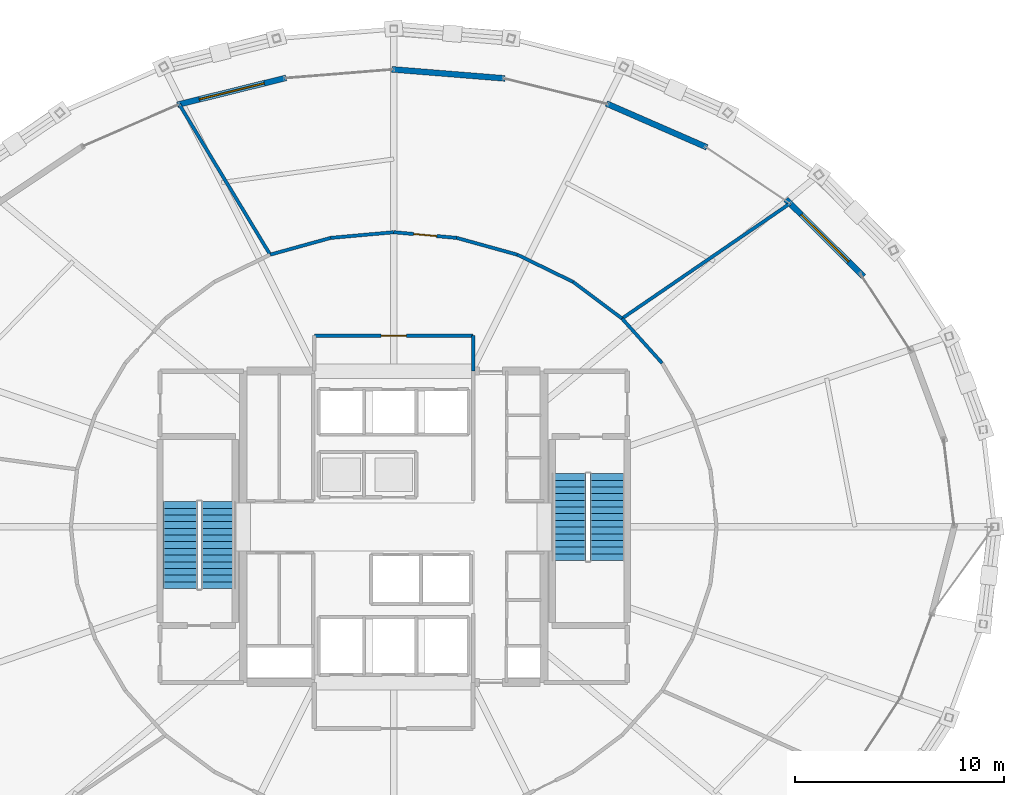
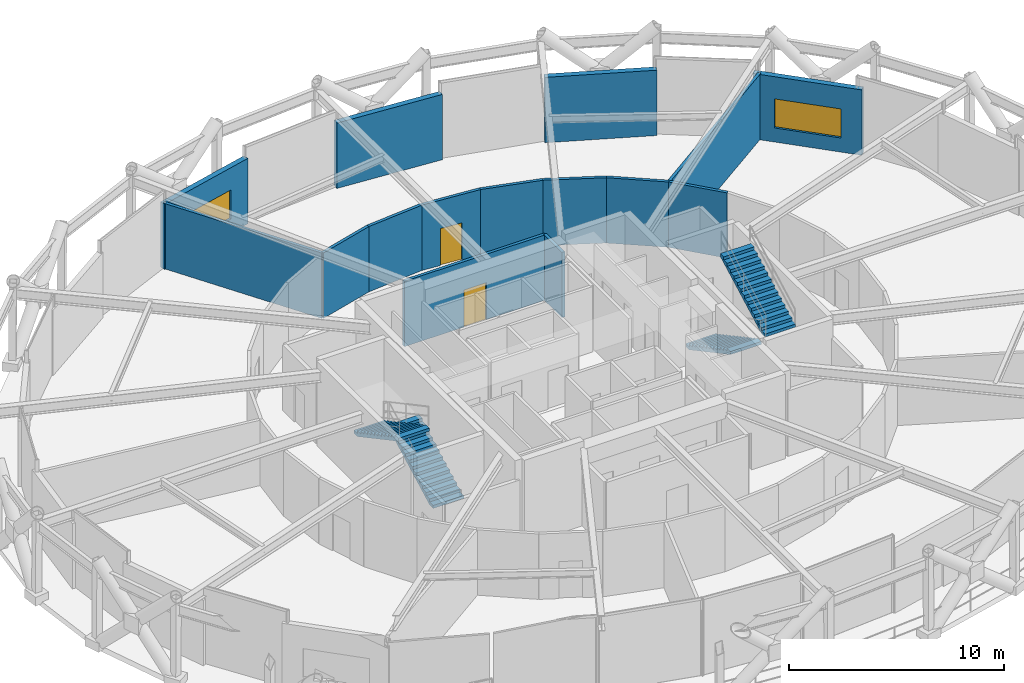
# One storey, part 35 of 39: 15 walls, 4 stair flights, 2 doors, 2 windows, 4 openings, 2 elements without a shape of their own.
"""IFC4 building model written with IfcOpenShell, lengths in metres."""

from ifc_helpers import new_model, si_unit, direction, frame, frame_2d, origin, place, context, subcontext, project, spatial, polyline, rectangle, outline, extrude, material, layer, layer_set, type_object, element, fill, aggregate, save


model = new_model("IFC4")

# Units and contexts
model_context = context("Model", 3, precision=1e-05, world=origin(), true_north=direction((0.0, 1.0)))
body_context = subcontext(model_context, "Body", "Model", "MODEL_VIEW")
ifc_project = project(units=[si_unit("LENGTHUNIT", "METRE"), si_unit("AREAUNIT", "SQUARE_METRE"), si_unit("VOLUMEUNIT", "CUBIC_METRE"), si_unit("PLANEANGLEUNIT", "RADIAN"), si_unit("MASSUNIT", "GRAM", prefix="KILO")], contexts=[model_context])

# Site, building, storey
site_placement = place(None, origin())
site = spatial("IfcSite", under=ifc_project, at=site_placement, CompositionType="ELEMENT")
building_placement = place(site_placement, origin())
building = spatial("IfcBuilding", under=site, at=building_placement, Name="Veldorina Hangang Commons", CompositionType="ELEMENT")
storey_placement = place(building_placement, frame((0.0, 0.0, 106.0)))
storey = spatial("IfcBuildingStorey", under=building, at=storey_placement, Name="L27", CompositionType="ELEMENT", Elevation=106.0)

# Wall, opening, window
ifc_material_1 = material(Name="Stone Roman Travertine", Category="masonry")
ifc_layer_1 = layer(ifc_material_1, 0.280029296875)
ifc_layer_set_1 = layer_set([ifc_layer_1], Name="Stone Roman Travertine")
wall_type_1 = type_object("IfcWallType", Name="EW-TRAV-280", PredefinedType="STANDARD", material=ifc_layer_set_1)
wall_1_placement = place(storey_placement, frame((54.4873046875, 35.9765625, 0.0), z_axis=(0.0, 0.0, 1.0), x_axis=(-0.709127704371, 0.705080065591, 0.0)))
wall_1 = element("IfcWall", 1, at=wall_1_placement, inside=storey, type_object=wall_type_1, Name="L27 travertine facade wall 03", PredefinedType="STANDARD", context=body_context, shape_type="SweptSolid", body=[
    extrude(rectangle(XDim=5.24755859375, YDim=0.280029296875, at=frame_2d((2.623779296875, 0.0))), origin(), (0.0, 0.0, 1.0), 3.7099609375),
])
opening_1_placement = place(wall_1_placement, frame((1.0126953125, 0.0, 0.800048828125)))
opening_1 = element("IfcOpeningElement", 2, at=opening_1_placement, cuts=wall_1, Name="Opening W-01", PredefinedType="OPENING", context=body_context, shape_type="SweptSolid", body=[
    extrude(rectangle(XDim=3.199951171875, YDim=1.64990234375, at=frame_2d((1.60009765625, 0.824951171875))), frame((0.0, 0.14990234375, 0.0), z_axis=(0.0, -1.0, 0.0), x_axis=(1.0, 0.0, 0.0)), (0.0, 0.0, 1.0), 0.300048828125),
])
ifc_material_2 = material(Name="Glass Low-E Triple IGU", Category="glass")
window_type = type_object("IfcWindowType", Name="WIN-TWR-3200", PartitioningType="SINGLE_PANEL", PredefinedType="WINDOW", material=ifc_material_2)
window_1_placement = place(opening_1_placement, origin())
window_1 = element("IfcWindow", 3, at=window_1_placement, inside=storey, type_object=window_type, Name="L27 facade window 03", OverallHeight=1.64990234375, OverallWidth=3.199951171875, PartitioningType="SINGLE_PANEL", PredefinedType="WINDOW", context=body_context, shape_type="SweptSolid", body=[
    extrude(rectangle(XDim=3.199951171875, YDim=1.64990234375, at=frame_2d((1.60009765625, 0.824951171875))), frame((0.0, 0.030029296875, 0.0), z_axis=(0.0, -1.0, 0.0), x_axis=(1.0, 0.0, 0.0)), (0.0, 0.0, 1.0), 0.06005859375),
])
fill(opening_1, window_1)

# Walls
wall_2_placement = place(storey_placement, frame((46.986328125, 42.16259765625, 0.0), z_axis=(0.0, 0.0, 1.0), x_axis=(-0.916604537143, 0.399795100631, 0.0)))
element("IfcWall", 4, at=wall_2_placement, inside=storey, type_object=wall_type_1, Name="L27 travertine facade wall 05", PredefinedType="STANDARD", context=body_context, shape_type="SweptSolid", body=[
    extrude(rectangle(XDim=5.2431640625, YDim=0.280029296875, at=frame_2d((2.62158203125, 0.0))), origin(), (0.0, 0.0, 1.0), 3.7099609375),
])
wall_3_placement = place(storey_placement, frame((37.32470703125, 45.460205078125, 0.0), z_axis=(0.0, 0.0, 1.0), x_axis=(-0.996786212596, 0.080107717347, 0.0)))
element("IfcWall", 5, at=wall_3_placement, inside=storey, type_object=wall_type_1, Name="L27 travertine facade wall 07", PredefinedType="STANDARD", context=body_context, shape_type="SweptSolid", body=[
    extrude(rectangle(XDim=5.43408203125, YDim=0.280029296875, at=frame_2d((2.717041015625, 0.0))), origin(), (0.0, 0.0, 1.0), 3.7099609375),
])

# Wall, opening, window
wall_4_placement = place(storey_placement, frame((26.8564453125, 45.489501953125, 0.0), z_axis=(0.0, 0.0, 1.0), x_axis=(-0.9707123559, -0.240244712954, 0.0)))
wall_4 = element("IfcWall", 6, at=wall_4_placement, inside=storey, type_object=wall_type_1, Name="L27 travertine facade wall 09", PredefinedType="STANDARD", context=body_context, shape_type="SweptSolid", body=[
    extrude(rectangle(XDim=5.36767578125, YDim=0.280029296875, at=frame_2d((2.683837890625, 0.0))), origin(), (0.0, 0.0, 1.0), 3.7099609375),
])
opening_2_placement = place(wall_4_placement, frame((1.083740234375, 0.0, 0.800048828125)))
opening_2 = element("IfcOpeningElement", 7, at=opening_2_placement, cuts=wall_4, Name="Opening W-01", PredefinedType="OPENING", context=body_context, shape_type="SweptSolid", body=[
    extrude(rectangle(XDim=3.199951171875, YDim=1.64990234375, at=frame_2d((1.60009765625, 0.824951171875))), frame((0.0, 0.14990234375, 0.0), z_axis=(0.0, -1.0, 0.0), x_axis=(1.0, 0.0, 0.0)), (0.0, 0.0, 1.0), 0.300048828125),
])
window_2_placement = place(opening_2_placement, origin())
window_2 = element("IfcWindow", 8, at=window_2_placement, inside=storey, type_object=window_type, Name="L27 facade window 09", OverallHeight=1.64990234375, OverallWidth=3.199951171875, PartitioningType="SINGLE_PANEL", PredefinedType="WINDOW", context=body_context, shape_type="SweptSolid", body=[
    extrude(rectangle(XDim=3.199951171875, YDim=1.64990234375, at=frame_2d((1.60009765625, 0.824951171875))), frame((0.0, 0.030029296875, 0.0), z_axis=(0.0, -1.0, 0.0), x_axis=(1.0, 0.0, 0.0)), (0.0, 0.0, 1.0), 0.06005859375),
])
fill(opening_2, window_2)

# Wall
ifc_material_3 = material(Name="Gypsum Fire-Rated Twin Stud Wall", Category="gypsum")
ifc_layer_2 = layer(ifc_material_3, 0.159912109375)
ifc_layer_set_2 = layer_set([ifc_layer_2], Name="Gypsum Fire-Rated Twin Stud Wall")
wall_type_2 = type_object("IfcWallType", Name="WL-FIRE-160", PredefinedType="SOLIDWALL", material=ifc_layer_set_2)
wall_5_placement = place(storey_placement, frame((35.800048828125, 31.449951171875, 0.0), z_axis=(0.0, 0.0, 1.0), x_axis=(0.0, 1.0, 0.0)))
element("IfcWall", 9, at=wall_5_placement, inside=storey, type_object=wall_type_2, Name="L27 North lobby east wall 038", PredefinedType="SOLIDWALL", context=body_context, shape_type="SweptSolid", body=[
    extrude(rectangle(XDim=1.699951171875, YDim=0.159912109375, at=frame_2d((0.85009765625, 0.0))), origin(), (0.0, 0.0, 1.0), 3.7099609375),
])

# Wall, opening, door
wall_6_placement = place(storey_placement, frame((28.199951171875, 33.14990234375, 0.0), z_axis=(0.0, 0.0, 1.0), x_axis=(1.0, 0.0, 0.0)))
wall_6 = element("IfcWall", 10, at=wall_6_placement, inside=storey, type_object=wall_type_2, Name="L27 North lobby north wall 039", PredefinedType="SOLIDWALL", context=body_context, shape_type="SweptSolid", body=[
    extrude(rectangle(XDim=7.60009765625, YDim=0.159912109375, at=frame_2d((3.800048828125, 0.0))), origin(), (0.0, 0.0, 1.0), 3.7099609375),
])
opening_3_placement = place(wall_6_placement, frame((3.199951171875, 0.0, 0.0)))
opening_3 = element("IfcOpeningElement", 11, at=opening_3_placement, cuts=wall_6, Name="Opening D-09", PredefinedType="OPENING", context=body_context, shape_type="SweptSolid", body=[
    extrude(rectangle(XDim=1.199951171875, YDim=2.10009765625, at=frame_2d((0.60009765625, 1.050048828125))), frame((0.0, 0.08984375, 0.0), z_axis=(0.0, -1.0, 0.0), x_axis=(1.0, 0.0, 0.0)), (0.0, 0.0, 1.0), 0.179931640625),
])
ifc_material_4 = material(Name="Steel Fire-Rated Corridor Door", Category="steel")
door_type_1 = type_object("IfcDoorType", Name="DR-FIRE-1200", OperationType="SINGLE_SWING_LEFT", PredefinedType="DOOR", material=ifc_material_4)
door_1_placement = place(opening_3_placement, origin())
door_1 = element("IfcDoor", 12, at=door_1_placement, inside=storey, type_object=door_type_1, Name="L27 North lift lobby corridor door 016", OperationType="SINGLE_SWING_RIGHT", OverallHeight=2.10009765625, OverallWidth=1.199951171875, PredefinedType="DOOR", context=body_context, shape_type="SweptSolid", body=[
    extrude(rectangle(XDim=1.199951171875, YDim=2.10009765625, at=frame_2d((0.60009765625, 1.050048828125))), frame((0.0, 0.02490234375, 0.0), z_axis=(0.0, -1.0, 0.0), x_axis=(1.0, 0.0, 0.0)), (0.0, 0.0, 1.0), 0.050048828125),
])
fill(opening_3, door_1)

# Walls
wall_7_placement = place(storey_placement, frame((44.84619140625, 31.83349609375, 0.0), z_axis=(0.0, 0.0, 1.0), x_axis=(-0.668645478294, 0.743581350194, 0.0)))
element("IfcWall", 13, at=wall_7_placement, inside=storey, type_object=wall_type_2, Name="L27 Sky gallery wall 03 058", PredefinedType="SOLIDWALL", context=body_context, shape_type="SweptSolid", body=[
    extrude(rectangle(XDim=2.87353515625, YDim=0.159912109375, at=frame_2d((1.436767578125, 0.0))), origin(), (0.0, 0.0, 1.0), 3.7099609375),
])
wall_8_placement = place(storey_placement, frame((42.9248046875, 33.97021484375, 0.0), z_axis=(0.0, 0.0, 1.0), x_axis=(-0.800420462314, 0.599438973966, 0.0)))
element("IfcWall", 14, at=wall_8_placement, inside=storey, type_object=wall_type_2, Name="L27 Sky gallery wall 04 059", PredefinedType="SOLIDWALL", context=body_context, shape_type="SweptSolid", body=[
    extrude(rectangle(XDim=2.925048828125, YDim=0.159912109375, at=frame_2d((1.46240234375, 0.0))), origin(), (0.0, 0.0, 1.0), 3.7099609375),
])
wall_9_placement = place(storey_placement, frame((40.58349609375, 35.7236328125, 0.0), z_axis=(0.0, 0.0, 1.0), x_axis=(-0.898755022802, 0.438451147778, 0.0)))
element("IfcWall", 15, at=wall_9_placement, inside=storey, type_object=wall_type_2, Name="L27 Sky gallery wall 05 060", PredefinedType="SOLIDWALL", context=body_context, shape_type="SweptSolid", body=[
    extrude(rectangle(XDim=2.9716796875, YDim=0.159912109375, at=frame_2d((1.48583984375, 0.0))), origin(), (0.0, 0.0, 1.0), 3.7099609375),
])
wall_10_placement = place(storey_placement, frame((37.91259765625, 37.026611328125, 0.0), z_axis=(0.0, 0.0, 1.0), x_axis=(-0.963743190464, 0.26683152519, 0.0)))
element("IfcWall", 16, at=wall_10_placement, inside=storey, type_object=wall_type_2, Name="L27 Sky gallery wall 06 061", PredefinedType="SOLIDWALL", context=body_context, shape_type="SweptSolid", body=[
    extrude(rectangle(XDim=3.007568359375, YDim=0.159912109375, at=frame_2d((1.50390625, 0.0))), origin(), (0.0, 0.0, 1.0), 3.7099609375),
])

# Wall, opening, door
wall_11_placement = place(storey_placement, frame((35.01416015625, 37.8291015625, 0.0), z_axis=(0.0, 0.0, 1.0), x_axis=(-0.995982645158, 0.089546471418, 0.0)))
wall_11 = element("IfcWall", 17, at=wall_11_placement, inside=storey, type_object=wall_type_2, Name="L27 Sky gallery wall 07 062", PredefinedType="SOLIDWALL", context=body_context, shape_type="SweptSolid", body=[
    extrude(rectangle(XDim=3.0263671875, YDim=0.159912109375, at=frame_2d((1.51318359375, 0.0))), origin(), (0.0, 0.0, 1.0), 3.7099609375),
])
opening_4_placement = place(wall_11_placement, frame((0.963134765625, 0.0, 0.0)))
opening_4 = element("IfcOpeningElement", 18, at=opening_4_placement, cuts=wall_11, Name="Opening D-08", PredefinedType="OPENING", context=body_context, shape_type="SweptSolid", body=[
    extrude(rectangle(XDim=1.10009765625, YDim=2.10009765625, at=frame_2d((0.550048828125, 1.050048828125))), frame((0.0, 0.08984375, 0.0), z_axis=(0.0, -1.0, 0.0), x_axis=(1.0, 0.0, 0.0)), (0.0, 0.0, 1.0), 0.179931640625),
])
ifc_material_5 = material(Name="Steel Fire-Rated Smoke Seal", Category="steel")
door_type_2 = type_object("IfcDoorType", Name="DR-FIRE-1100", OperationType="SINGLE_SWING_RIGHT", PredefinedType="DOOR", material=ifc_material_5)
door_2_placement = place(opening_4_placement, origin())
door_2 = element("IfcDoor", 19, at=door_2_placement, inside=storey, type_object=door_type_2, Name="L27 Sky Commons Reading Library entrance door 028", OperationType="SINGLE_SWING_RIGHT", OverallHeight=2.10009765625, OverallWidth=1.10009765625, PredefinedType="DOOR", context=body_context, shape_type="SweptSolid", body=[
    extrude(rectangle(XDim=1.10009765625, YDim=2.10009765625, at=frame_2d((0.550048828125, 1.050048828125))), frame((0.0, 0.02490234375, 0.0), z_axis=(0.0, -1.0, 0.0), x_axis=(1.0, 0.0, 0.0)), (0.0, 0.0, 1.0), 0.050048828125),
])
fill(opening_4, door_2)

# Walls
wall_12_placement = place(storey_placement, frame((32.0, 38.10009765625, 0.0), z_axis=(0.0, 0.0, 1.0), x_axis=(-0.995982645158, -0.089546471418, 0.0)))
element("IfcWall", 20, at=wall_12_placement, inside=storey, type_object=wall_type_2, Name="L27 Sky gallery wall 08 063", PredefinedType="SOLIDWALL", context=body_context, shape_type="SweptSolid", body=[
    extrude(rectangle(XDim=3.0263671875, YDim=0.159912109375, at=frame_2d((1.51318359375, 0.0))), origin(), (0.0, 0.0, 1.0), 3.7099609375),
])
wall_13_placement = place(storey_placement, frame((28.98583984375, 37.8291015625, 0.0), z_axis=(0.0, 0.0, 1.0), x_axis=(-0.963743190464, -0.26683152519, 0.0)))
element("IfcWall", 21, at=wall_13_placement, inside=storey, type_object=wall_type_2, Name="L27 Sky gallery wall 09 064", PredefinedType="SOLIDWALL", context=body_context, shape_type="SweptSolid", body=[
    extrude(rectangle(XDim=3.007568359375, YDim=0.159912109375, at=frame_2d((1.50390625, 0.0))), origin(), (0.0, 0.0, 1.0), 3.7099609375),
])
wall_14_placement = place(storey_placement, frame((42.9248046875, 33.97021484375, 0.0), z_axis=(0.0, 0.0, 1.0), x_axis=(0.825084174335, 0.56500982758, 0.0)))
element("IfcWall", 22, at=wall_14_placement, inside=storey, type_object=wall_type_2, Name="L27 Sky lobby radial wall 3 089", PredefinedType="SOLIDWALL", context=body_context, shape_type="SweptSolid", body=[
    extrude(rectangle(XDim=9.746826171875, YDim=0.159912109375, at=frame_2d((4.87353515625, 0.0))), origin(), (0.0, 0.0, 1.0), 3.7099609375),
])
wall_15_placement = place(storey_placement, frame((26.08740234375, 37.026611328125, 0.0), z_axis=(0.0, 0.0, 1.0), x_axis=(-0.517540961526, 0.85565843252, 0.0)))
element("IfcWall", 23, at=wall_15_placement, inside=storey, type_object=wall_type_2, Name="L27 Sky lobby radial wall 4 090", PredefinedType="SOLIDWALL", context=body_context, shape_type="SweptSolid", body=[
    extrude(rectangle(XDim=8.4091796875, YDim=0.159912109375, at=frame_2d((4.20458984375, 0.0))), origin(), (0.0, 0.0, 1.0), 3.7099609375),
])

# Stair, stair flights
ifc_material_6 = material(Name="Concrete C40/50", Category="concrete")
stair_type = type_object("IfcStairType", Name="STR-DOG-1650-28R", PredefinedType="HALF_TURN_STAIR", material=ifc_material_6)
stair_1_placement = place(storey_placement, origin())
stair_1 = element("IfcStair", 24, at=stair_1_placement, inside=storey, type_object=stair_type, Name="L27 Exit stair ST-1", PredefinedType="HALF_TURN_STAIR")
stair_flight_type = type_object("IfcStairFlightType", Name="SFL-STR-1650-28R", PredefinedType="STRAIGHT", material=ifc_material_6)
stair_flight_1_placement = place(storey_placement, frame((23.625, 21.050048828125, 0.0), z_axis=(0.0, 0.0, 1.0), x_axis=(0.0, 1.0, 0.0)))
stair_flight_1 = element("IfcStairFlight", 25, at=stair_flight_1_placement, type_object=stair_flight_type, Name="ST-1 flight 1", NumberOfRisers=14, NumberOfTreads=13, PredefinedType="STRAIGHT", RiserHeight=0.171428571, TreadLength=0.32, context=body_context, shape_type="SweptSolid", body=[
    extrude(outline(polyline([(0.0, 0.0), (0.0, 0.17138671875), (0.320068359375, 0.17138671875), (0.320068359375, 0.3427734375), (0.639892578125, 0.3427734375), (0.639892578125, 0.514404296875), (0.9599609375, 0.514404296875), (0.9599609375, 0.685791015625), (1.280029296875, 0.685791015625), (1.280029296875, 0.857177734375), (1.60009765625, 0.857177734375), (1.60009765625, 1.028564453125), (1.919921875, 1.028564453125), (1.919921875, 1.199951171875), (2.239990234375, 1.199951171875), (2.239990234375, 1.371337890625), (2.56005859375, 1.371337890625), (2.56005859375, 1.54296875), (2.8798828125, 1.54296875), (2.8798828125, 1.71435546875), (3.199951171875, 1.71435546875), (3.199951171875, 1.8857421875), (3.52001953125, 1.8857421875), (3.52001953125, 2.05712890625), (3.840087890625, 2.05712890625), (3.840087890625, 2.228515625), (4.159912109375, 2.228515625), (4.159912109375, 2.39990234375), (4.159912109375, 2.05859375), (0.3173828125, 0.0), (0.0, 0.0)])), frame((0.0, 0.824951171875, 0.0), z_axis=(0.0, -1.0, 0.0), x_axis=(1.0, 0.0, 0.0)), (0.0, 0.0, 1.0), 1.64990234375),
])
stair_flight_2_placement = place(storey_placement, frame((21.77490234375, 25.2099609375, 2.39990234375), z_axis=(0.0, 0.0, 1.0), x_axis=(0.0, -1.0, 0.0)))
stair_flight_2 = element("IfcStairFlight", 26, at=stair_flight_2_placement, type_object=stair_flight_type, Name="ST-1 flight 2", NumberOfRisers=14, NumberOfTreads=13, PredefinedType="STRAIGHT", RiserHeight=0.171428571, TreadLength=0.32, context=body_context, shape_type="SweptSolid", body=[
    extrude(outline(polyline([(0.0, 0.0), (0.0, 0.17138671875), (0.320068359375, 0.17138671875), (0.320068359375, 0.3427734375), (0.639892578125, 0.3427734375), (0.639892578125, 0.514404296875), (0.9599609375, 0.514404296875), (0.9599609375, 0.685791015625), (1.280029296875, 0.685791015625), (1.280029296875, 0.857177734375), (1.60009765625, 0.857177734375), (1.60009765625, 1.028564453125), (1.919921875, 1.028564453125), (1.919921875, 1.199951171875), (2.239990234375, 1.199951171875), (2.239990234375, 1.371337890625), (2.56005859375, 1.371337890625), (2.56005859375, 1.54296875), (2.8798828125, 1.54296875), (2.8798828125, 1.71435546875), (3.199951171875, 1.71435546875), (3.199951171875, 1.8857421875), (3.52001953125, 1.8857421875), (3.52001953125, 2.05712890625), (3.840087890625, 2.05712890625), (3.840087890625, 2.228515625), (4.159912109375, 2.228515625), (4.159912109375, 2.39990234375), (4.159912109375, 2.05859375), (0.3173828125, 0.0), (0.0, 0.0)])), frame((0.0, 0.824951171875, 0.0), z_axis=(0.0, -1.0, 0.0), x_axis=(1.0, 0.0, 0.0)), (0.0, 0.0, 1.0), 1.64990234375),
])
aggregate(stair_1, [stair_flight_1, stair_flight_2])

stair_2_placement = place(storey_placement, origin())
stair_2 = element("IfcStair", 27, at=stair_2_placement, inside=storey, type_object=stair_type, Name="L27 Exit stair ST-2", PredefinedType="HALF_TURN_STAIR")
stair_flight_3_placement = place(storey_placement, frame((40.375, 26.550048828125, 0.0), z_axis=(0.0, 0.0, 1.0), x_axis=(0.0, -1.0, 0.0)))
stair_flight_3 = element("IfcStairFlight", 28, at=stair_flight_3_placement, type_object=stair_flight_type, Name="ST-2 flight 1", NumberOfRisers=14, NumberOfTreads=13, PredefinedType="STRAIGHT", RiserHeight=0.171428571, TreadLength=0.32, context=body_context, shape_type="SweptSolid", body=[
    extrude(outline(polyline([(0.0, 0.0), (0.0, 0.17138671875), (0.320068359375, 0.17138671875), (0.320068359375, 0.3427734375), (0.639892578125, 0.3427734375), (0.639892578125, 0.514404296875), (0.9599609375, 0.514404296875), (0.9599609375, 0.685791015625), (1.280029296875, 0.685791015625), (1.280029296875, 0.857177734375), (1.60009765625, 0.857177734375), (1.60009765625, 1.028564453125), (1.919921875, 1.028564453125), (1.919921875, 1.199951171875), (2.239990234375, 1.199951171875), (2.239990234375, 1.371337890625), (2.56005859375, 1.371337890625), (2.56005859375, 1.54296875), (2.8798828125, 1.54296875), (2.8798828125, 1.71435546875), (3.199951171875, 1.71435546875), (3.199951171875, 1.8857421875), (3.52001953125, 1.8857421875), (3.52001953125, 2.05712890625), (3.840087890625, 2.05712890625), (3.840087890625, 2.228515625), (4.159912109375, 2.228515625), (4.159912109375, 2.39990234375), (4.159912109375, 2.05859375), (0.3173828125, 0.0), (0.0, 0.0)])), frame((0.0, 0.824951171875, 0.0), z_axis=(0.0, -1.0, 0.0), x_axis=(1.0, 0.0, 0.0)), (0.0, 0.0, 1.0), 1.64990234375),
])
stair_flight_4_placement = place(storey_placement, frame((42.22509765625, 22.389892578125, 2.39990234375), z_axis=(0.0, 0.0, 1.0), x_axis=(0.0, 1.0, 0.0)))
stair_flight_4 = element("IfcStairFlight", 29, at=stair_flight_4_placement, type_object=stair_flight_type, Name="ST-2 flight 2", NumberOfRisers=14, NumberOfTreads=13, PredefinedType="STRAIGHT", RiserHeight=0.171428571, TreadLength=0.32, context=body_context, shape_type="SweptSolid", body=[
    extrude(outline(polyline([(0.0, 0.0), (0.0, 0.17138671875), (0.320068359375, 0.17138671875), (0.320068359375, 0.3427734375), (0.639892578125, 0.3427734375), (0.639892578125, 0.514404296875), (0.9599609375, 0.514404296875), (0.9599609375, 0.685791015625), (1.280029296875, 0.685791015625), (1.280029296875, 0.857177734375), (1.60009765625, 0.857177734375), (1.60009765625, 1.028564453125), (1.919921875, 1.028564453125), (1.919921875, 1.199951171875), (2.239990234375, 1.199951171875), (2.239990234375, 1.371337890625), (2.56005859375, 1.371337890625), (2.56005859375, 1.54296875), (2.8798828125, 1.54296875), (2.8798828125, 1.71435546875), (3.199951171875, 1.71435546875), (3.199951171875, 1.8857421875), (3.52001953125, 1.8857421875), (3.52001953125, 2.05712890625), (3.840087890625, 2.05712890625), (3.840087890625, 2.228515625), (4.159912109375, 2.228515625), (4.159912109375, 2.39990234375), (4.159912109375, 2.05859375), (0.3173828125, 0.0), (0.0, 0.0)])), frame((0.0, 0.824951171875, 0.0), z_axis=(0.0, -1.0, 0.0), x_axis=(1.0, 0.0, 0.0)), (0.0, 0.0, 1.0), 1.64990234375),
])
aggregate(stair_2, [stair_flight_3, stair_flight_4])

save(model, "model.ifc")
